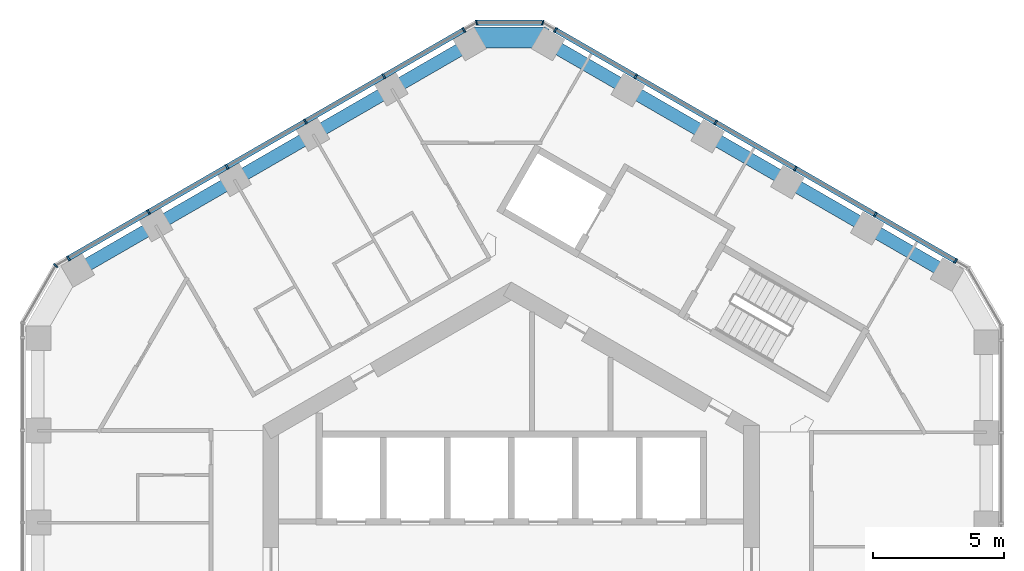
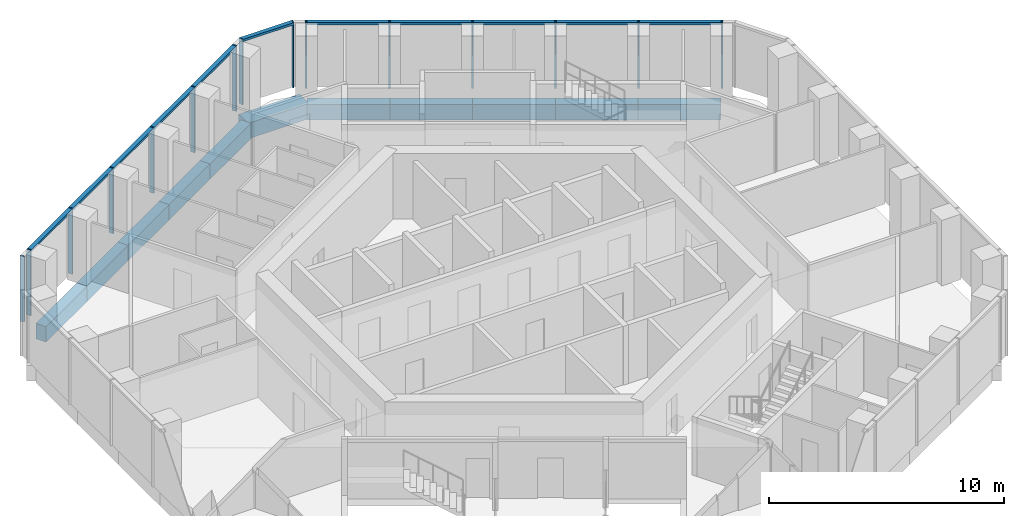
# One storey, part 6 of 19: 18 members, 11 beams, 4 elements without a shape of their own.
"""IFC4 building model written with IfcOpenShell, lengths in metres."""

import ifcopenshell
import ifcopenshell.guid

model = None  # the IFC model being written
_history = None  # IfcOwnerHistory: only IFC2X3 demands one
_inside = {}  # id of a spatial element -> (the spatial element, [elements in it])
_under = {}  # id of a project, library or spatial element -> (it, [spatial elements below it])
_declared = {}  # id of a project -> (the project, [libraries it declares])
_typed = {}  # id of a type object -> (the type object, [elements of that type])
_made_of = {}  # id of a material, layer set ... -> (it, [elements and type objects made of it])


def new_model(schema):
    """Start an empty IFC model of exactly this schema.

    Asked for "IFC4X3", IfcOpenShell would pick the latest addendum, in which some entities
    have other attributes; the version numbers below select the first issue.
    IFC2X3 requires an IfcOwnerHistory on every rooted entity: one is made here for all.
    """
    global model, _history
    if schema == "IFC4X3":
        model = ifcopenshell.file(schema_version=(4, 3, 0, 0))
    else:
        model = ifcopenshell.file(schema=schema)
    _inside.clear()
    _under.clear()
    _declared.clear()
    _typed.clear()
    _made_of.clear()
    _history = None
    if model.schema == "IFC2X3":
        org = make("IfcOrganization", Name="unknown")
        user = make(
            "IfcPersonAndOrganization",
            ThePerson=make("IfcPerson", FamilyName="unknown"),
            TheOrganization=org,
        )
        app = make(
            "IfcApplication",
            ApplicationDeveloper=org,
            Version="unknown",
            ApplicationFullName="unknown",
            ApplicationIdentifier="unknown",
        )
        _history = make(
            "IfcOwnerHistory",
            OwningUser=user,
            OwningApplication=app,
            ChangeAction="ADDED",
            CreationDate=0,
        )
    return model


def make(cls, **values):
    """One entity of the class cls with the attributes given. An attribute that is None is left unset."""
    return model.create_entity(
        cls, **{name: value for name, value in values.items() if value is not None}
    )


def rooted(cls, **values):
    """An entity with a GlobalId (a new one), such as an element, a storey or a relation."""
    return make(cls, GlobalId=ifcopenshell.guid.new(), OwnerHistory=_history, **values)


def si_unit(unit_type, name, prefix=None):
    """IfcSIUnit, for example si_unit("LENGTHUNIT", "METRE", prefix="MILLI")."""
    return make("IfcSIUnit", UnitType=unit_type, Prefix=prefix, Name=name)


def assignment(units):
    """IfcUnitAssignment: the units of a project."""
    return None if units is None else make("IfcUnitAssignment", Units=units)


def point(xyz):
    """IfcCartesianPoint."""
    return None if xyz is None else make("IfcCartesianPoint", Coordinates=xyz)


def direction(xyz):
    """IfcDirection."""
    return None if xyz is None else make("IfcDirection", DirectionRatios=xyz)


def frame(location, z_axis=None, x_axis=None):
    """IfcAxis2Placement3D, a coordinate frame: its origin and axes. An axis left out is left unset."""
    return make(
        "IfcAxis2Placement3D",
        Location=point(location),
        Axis=direction(z_axis),
        RefDirection=direction(x_axis),
    )


def frame_2d(location, x_axis=None):
    """IfcAxis2Placement2D, a coordinate frame in the plane: its origin and x axis."""
    return make(
        "IfcAxis2Placement2D", Location=point(location), RefDirection=direction(x_axis)
    )


def origin():
    """The frame at (0, 0, 0) with its axes left unset."""
    return frame((0.0, 0.0, 0.0))


def origin_2d():
    """The frame at (0, 0) in the plane with its x axis left unset."""
    return frame_2d((0.0, 0.0))


def place(relative_to, where):
    """IfcLocalPlacement: puts the frame where relative to a parent placement (None: the world)."""
    return make(
        "IfcLocalPlacement", PlacementRelTo=relative_to, RelativePlacement=where
    )


def context(
    kind, dimensions, precision=None, world=None, true_north=None, identifier=None
):
    """IfcGeometricRepresentationContext, for example the 3D "Model" context."""
    return make(
        "IfcGeometricRepresentationContext",
        ContextIdentifier=identifier,
        ContextType=kind,
        CoordinateSpaceDimension=dimensions,
        Precision=precision,
        WorldCoordinateSystem=world,
        TrueNorth=true_north,
    )


def subcontext(parent, identifier, kind, view, scale=None):
    """IfcGeometricRepresentationSubContext, for example "Body" below "Model"."""
    return make(
        "IfcGeometricRepresentationSubContext",
        ContextIdentifier=identifier,
        ContextType=kind,
        ParentContext=parent,
        TargetScale=scale,
        TargetView=view,
    )


def project(units=None, contexts=None):
    """IfcProject with its units and contexts."""
    return rooted(
        "IfcProject",
        Name="project",
        RepresentationContexts=contexts,
        UnitsInContext=assignment(units),
    )


def spatial(cls, under=None, at=None, **own):
    """A site, building, storey or space (cls), placed at a placement, below another one or the project."""
    s = rooted(cls, ObjectPlacement=at, **own)
    if under is not None:
        _under.setdefault(under.id(), (under, []))[1].append(s)
    return s


def profile(cls, at=None, kind="AREA", **sizes):
    """A parametric profile (cls). Its sizes go by their IFC names, for example OverallWidth=200.0."""
    return make(cls, ProfileType=kind, Position=at, **sizes)


def rectangle(**sizes):
    """IfcRectangleProfileDef."""
    return profile("IfcRectangleProfileDef", **sizes)


def extrude(swept, where, along, depth):
    """IfcExtrudedAreaSolid: the profile swept, set in the frame where, extruded along a direction by depth."""
    return make(
        "IfcExtrudedAreaSolid",
        SweptArea=swept,
        Position=where,
        ExtrudedDirection=direction(along),
        Depth=depth,
    )


def shape(context_of_items, identifier, shape_type, items):
    """IfcShapeRepresentation: the items that make up one representation, for example the "Body"."""
    return make(
        "IfcShapeRepresentation",
        ContextOfItems=context_of_items,
        RepresentationIdentifier=identifier,
        RepresentationType=shape_type,
        Items=items,
    )


def material(Name=None, Category=None):
    """IfcMaterial."""
    return make("IfcMaterial", Name=Name, Category=Category)


def layer(
    of_material, thickness, ventilated=None, Name=None, Category=None, Priority=None
):
    """IfcMaterialLayer: one layer of a wall or slab, of a material (None: an air gap)."""
    return make(
        "IfcMaterialLayer",
        Material=of_material,
        LayerThickness=thickness,
        IsVentilated=ventilated,
        Name=Name,
        Category=Category,
        Priority=Priority,
    )


def layer_set(layers, Name=None):
    """IfcMaterialLayerSet."""
    return make("IfcMaterialLayerSet", MaterialLayers=layers, LayerSetName=Name)


def material_profile(
    of_material, cross_section, Name=None, Category=None, Priority=None
):
    """IfcMaterialProfile: a cross section and its material."""
    return make(
        "IfcMaterialProfile",
        Name=Name,
        Material=of_material,
        Profile=cross_section,
        Priority=Priority,
        Category=Category,
    )


def profile_set(profiles, Name=None, composite=None):
    """IfcMaterialProfileSet."""
    return make(
        "IfcMaterialProfileSet",
        Name=Name,
        MaterialProfiles=profiles,
        CompositeProfile=composite,
    )


def made_of(thing, what):
    """Note that an element or type object is made of a material, layer set ...; save() writes the relation."""
    if what is not None:
        _made_of.setdefault(what.id(), (what, []))[1].append(thing)
    return thing


def type_object(cls, material=None, **own):
    """A type object (cls), such as IfcWallType, which elements share."""
    return made_of(rooted(cls, **own), material)


def element(
    cls,
    number,
    at=None,
    inside=None,
    cuts=None,
    type_object=None,
    material=None,
    context=None,
    identifier="Body",
    shape_type=None,
    held_by="IfcProductDefinitionShape",
    body=None,
    shapes=None,
    **own,
):
    """One element of the class cls, such as IfcWall. Its Tag is "e" and its number.

    at: its placement. inside: the storey or other place that contains it. cuts: it is an
    opening in that element (IfcRelVoidsElement). A single representation is given by context,
    identifier, shape_type and body (its items); several are given by shapes. held_by: the class
    of the entity that holds the representations. save() writes the other relations.
    """
    e = rooted(cls, Tag="e%d" % number, ObjectPlacement=at, **own)
    if body is not None:
        shapes = [shape(context, identifier, shape_type, body)]
    if shapes is not None:
        e.Representation = make(held_by, Representations=shapes)
    if inside is not None:
        _inside.setdefault(inside.id(), (inside, []))[1].append(e)
    if cuts is not None:
        rooted(
            "IfcRelVoidsElement", RelatingBuildingElement=cuts, RelatedOpeningElement=e
        )
    if type_object is not None:
        _typed.setdefault(type_object.id(), (type_object, []))[1].append(e)
    return made_of(e, material)


def aggregate(whole, parts):
    """IfcRelAggregates: a whole, such as a stair, and the parts it consists of."""
    return rooted("IfcRelAggregates", RelatingObject=whole, RelatedObjects=parts)


def save(model, path):
    """Write the relations noted so far, then the file.

    IfcRelAggregates (storeys below a building ...), IfcRelContainedInSpatialStructure (elements
    in a storey), IfcRelDefinesByType, IfcRelAssociatesMaterial and IfcRelDeclares: one each for
    every whole, place, type object, material and project.
    """
    for whole, parts in _under.values():
        aggregate(whole, parts)
    for where, things in _inside.values():
        rooted(
            "IfcRelContainedInSpatialStructure",
            RelatedElements=things,
            RelatingStructure=where,
        )
    for kind, things in _typed.values():
        rooted("IfcRelDefinesByType", RelatedObjects=things, RelatingType=kind)
    for what, things in _made_of.values():
        rooted("IfcRelAssociatesMaterial", RelatedObjects=things, RelatingMaterial=what)
    for by, libraries in _declared.values():
        rooted("IfcRelDeclares", RelatingContext=by, RelatedDefinitions=libraries)
    model.write(path)


model = new_model("IFC4")

# Units and contexts
model_context = context("Model", 3, precision=1e-05, world=origin(), true_north=direction((0.0, 1.0)))
body_context = subcontext(model_context, "Body", "Model", "MODEL_VIEW")
ifc_project = project(units=[si_unit("LENGTHUNIT", "METRE"), si_unit("AREAUNIT", "SQUARE_METRE"), si_unit("VOLUMEUNIT", "CUBIC_METRE"), si_unit("PLANEANGLEUNIT", "RADIAN"), si_unit("MASSUNIT", "GRAM", prefix="KILO")], contexts=[model_context])

# Site, building, storey
site_placement = place(None, origin())
site = spatial("IfcSite", under=ifc_project, at=site_placement, CompositionType="ELEMENT")
building_placement = place(site_placement, origin())
building = spatial("IfcBuilding", under=site, at=building_placement, Name="Ayvan Gate Tower", CompositionType="ELEMENT")
storey_placement = place(building_placement, frame((0.0, 0.0, 156.10009765625)))
storey = spatial("IfcBuildingStorey", under=building, at=storey_placement, Name="L41", CompositionType="ELEMENT", Elevation=156.10009765625)

# Beams
ifc_material_1 = material(Name="Concrete C40/50", Category="concrete")
ifc_material_profile_1 = material_profile(ifc_material_1, rectangle(XDim=0.800048828125, YDim=0.800048828125, at=origin_2d()), Name="RC 800x800")
ifc_profile_set_1 = profile_set([ifc_material_profile_1], Name="Concrete C40/50")
beam_type_1 = type_object("IfcBeamType", Name="Corner spandrel beam RC 800x800 C40/50", PredefinedType="BEAM", material=ifc_profile_set_1)
beam_1_placement = place(storey_placement, frame((1.453857421875, 20.3271484375, -0.75), z_axis=(-1.0, 0.0, 0.0), x_axis=(0.0, -1.0, 0.0)))
element("IfcBeam", 1, at=beam_1_placement, inside=storey, type_object=beam_type_1, Name="SB-L41-12", PredefinedType="BEAM", context=body_context, shape_type="SweptSolid", body=[
    extrude(rectangle(XDim=0.800048828125, YDim=0.800048828125, at=origin_2d()), origin(), (0.0, 0.0, 1.0), 3.0),
])
ifc_material_profile_2 = material_profile(ifc_material_1, rectangle(XDim=0.5, YDim=0.800048828125, at=origin_2d()), Name="RC 500x800")
ifc_profile_set_2 = profile_set([ifc_material_profile_2], Name="Concrete C40/50")
beam_type_2 = type_object("IfcBeamType", Name="Spandrel beam RC 500x800 C40/50", PredefinedType="BEAM", material=ifc_profile_set_2)
beam_2_placement = place(storey_placement, frame((16.6865234375, 11.3125, -0.75), z_axis=(-0.866018011611, 0.500012803402, 0.0), x_axis=(-0.500012803402, -0.866018011611, 0.0)))
element("IfcBeam", 2, at=beam_2_placement, inside=storey, type_object=beam_type_2, Name="SB-L41-7", PredefinedType="BEAM", context=body_context, shape_type="SweptSolid", body=[
    extrude(rectangle(XDim=0.5, YDim=0.800048828125, at=origin_2d()), origin(), (0.0, 0.0, 1.0), 3.51806640625),
])
for number, where, z_axis, x_axis, name in (
    (3, (13.639892578125, 13.071533203125, -0.75), (-0.86600065965, 0.500042855648, 0.0), (-0.500042855648, -0.86600065965, 0.0), "SB-L41-8"),
    (4, (10.593505859375, 14.83056640625, -0.75), (-0.866048061831, 0.499960753059, 0.0), (-0.499960753059, -0.866048061831, 0.0), "SB-L41-9"),
):
    element("IfcBeam", number, at=place(storey_placement, frame(where, z_axis=z_axis, x_axis=x_axis)), inside=storey, type_object=beam_type_2, Name=name, PredefinedType="BEAM", context=body_context, shape_type="SweptSolid", body=[
        extrude(rectangle(XDim=0.5, YDim=0.800048828125, at=origin_2d()), origin(), (0.0, 0.0, 1.0), 3.517822265625),
    ])
beam_3_placement = place(storey_placement, frame((7.546875, 16.58935546875, -0.75), z_axis=(-0.866018011611, 0.500012803402, 0.0), x_axis=(-0.500012803402, -0.866018011611, 0.0)))
element("IfcBeam", 5, at=beam_3_placement, inside=storey, type_object=beam_type_2, Name="SB-L41-10", PredefinedType="BEAM", context=body_context, shape_type="SweptSolid", body=[
    extrude(rectangle(XDim=0.5, YDim=0.800048828125, at=origin_2d()), origin(), (0.0, 0.0, 1.0), 3.51806640625),
])
beam_4_placement = place(storey_placement, frame((4.500244140625, 18.348388671875, -0.75), z_axis=(-0.866030712881, 0.499990804263, 0.0), x_axis=(-0.499990804263, -0.866030712881, 0.0)))
element("IfcBeam", 6, at=beam_4_placement, inside=storey, type_object=beam_type_2, Name="SB-L41-11", PredefinedType="BEAM", context=body_context, shape_type="SweptSolid", body=[
    extrude(rectangle(XDim=0.5, YDim=0.800048828125, at=origin_2d()), origin(), (0.0, 0.0, 1.0), 3.517578125),
])
beam_5_placement = place(storey_placement, frame((-1.546142578125, 20.107177734375, -0.75), z_axis=(-0.866023465201, -0.500003357709, 0.0), x_axis=(0.500003357709, -0.866023465201, 0.0)))
element("IfcBeam", 7, at=beam_5_placement, inside=storey, type_object=beam_type_2, Name="SB-L41-13", PredefinedType="BEAM", context=body_context, shape_type="SweptSolid", body=[
    extrude(rectangle(XDim=0.5, YDim=0.800048828125, at=origin_2d()), origin(), (0.0, 0.0, 1.0), 3.48583984375),
])
beam_6_placement = place(storey_placement, frame((-4.56494140625, 18.3642578125, -0.75), z_axis=(-0.866040973416, -0.499973031637, 0.0), x_axis=(0.499973031637, -0.866040973416, 0.0)))
element("IfcBeam", 8, at=beam_6_placement, inside=storey, type_object=beam_type_2, Name="SB-L41-14", PredefinedType="BEAM", context=body_context, shape_type="SweptSolid", body=[
    extrude(rectangle(XDim=0.5, YDim=0.800048828125, at=origin_2d()), origin(), (0.0, 0.0, 1.0), 3.486083984375),
])
beam_7_placement = place(storey_placement, frame((-7.583984375, 16.621337890625, -0.75), z_axis=(-0.866053792276, -0.499950826467, 0.0), x_axis=(0.499950826467, -0.866053792276, 0.0)))
element("IfcBeam", 9, at=beam_7_placement, inside=storey, type_object=beam_type_2, Name="SB-L41-15", PredefinedType="BEAM", context=body_context, shape_type="SweptSolid", body=[
    extrude(rectangle(XDim=0.5, YDim=0.800048828125, at=origin_2d()), origin(), (0.0, 0.0, 1.0), 3.485595703125),
])
for number, where, z_axis, x_axis, name in (
    (10, (-10.602783203125, 14.878662109375, -0.75), (-0.866023465201, -0.500003357709, 0.0), (0.500003357709, -0.866023465201, 0.0), "SB-L41-16"),
    (11, (-13.62158203125, 13.1357421875, -0.75), (-0.866023465201, -0.500003357709, 0.0), (0.500003357709, -0.866023465201, 0.0), "SB-L41-17"),
):
    element("IfcBeam", number, at=place(storey_placement, frame(where, z_axis=z_axis, x_axis=x_axis)), inside=storey, type_object=beam_type_2, Name=name, PredefinedType="BEAM", context=body_context, shape_type="SweptSolid", body=[
        extrude(rectangle(XDim=0.5, YDim=0.800048828125, at=origin_2d()), origin(), (0.0, 0.0, 1.0), 3.48583984375),
    ])

# Curtain wall, members
ifc_material_2 = material(Name="Bronze anodised aluminium", Category="aluminium")
ifc_layer_1 = layer(ifc_material_2, 0.199951171875)
ifc_layer_set_1 = layer_set([ifc_layer_1], Name="Bronze anodised aluminium")
curtain_wall_type_1 = type_object("IfcCurtainWallType", Name="Stick curtain wall CW-2", PredefinedType="NOTDEFINED", material=ifc_layer_set_1)
curtain_wall_1_placement = place(storey_placement, origin())
curtain_wall_1 = element("IfcCurtainWall", 12, at=curtain_wall_1_placement, inside=storey, type_object=curtain_wall_type_1, Name="Stick curtain wall CW-2 L41", PredefinedType="NOTDEFINED")
ifc_material_profile_3 = material_profile(ifc_material_2, rectangle(XDim=0.199951171875, YDim=0.070068359375, at=origin_2d()), Name="Stick curtain wall CW-2 mullion 200 x 70")
ifc_profile_set_3 = profile_set([ifc_material_profile_3], Name="Bronze anodised aluminium")
member_type_1 = type_object("IfcMemberType", Name="Stick curtain wall CW-2 mullion 200 x 70", PredefinedType="MULLION", material=ifc_profile_set_3)
member_1_placement = place(storey_placement, frame((-1.8115234375, 20.617919921875, 0.0), z_axis=(0.0, 0.0, 1.0), x_axis=(-0.5, 0.866025403784, 0.0)))
member_1 = element("IfcMember", 13, at=member_1_placement, type_object=member_type_1, Name="CW-2 mullion 1", PredefinedType="MULLION", context=body_context, shape_type="SweptSolid", body=[
    extrude(rectangle(XDim=0.199951171875, YDim=0.070068359375, at=origin_2d()), origin(), (0.0, 0.0, 1.0), 3.39990234375),
])
member_2_placement = place(storey_placement, frame((-4.878173828125, 18.847412109375, 0.0), z_axis=(0.0, 0.0, 1.0), x_axis=(-0.5, 0.866025403784, 0.0)))
member_2 = element("IfcMember", 14, at=member_2_placement, type_object=member_type_1, Name="CW-2 mullion 2", PredefinedType="MULLION", context=body_context, shape_type="SweptSolid", body=[
    extrude(rectangle(XDim=0.199951171875, YDim=0.070068359375, at=origin_2d()), origin(), (0.0, 0.0, 1.0), 3.39990234375),
])
member_3_placement = place(storey_placement, frame((-7.8798828125, 17.114501953125, 0.0), z_axis=(0.0, 0.0, 1.0), x_axis=(-0.5, 0.866025403784, 0.0)))
member_3 = element("IfcMember", 15, at=member_3_placement, type_object=member_type_1, Name="CW-2 mullion 3", PredefinedType="MULLION", context=body_context, shape_type="SweptSolid", body=[
    extrude(rectangle(XDim=0.199951171875, YDim=0.070068359375, at=origin_2d()), origin(), (0.0, 0.0, 1.0), 3.39990234375),
])
member_4_placement = place(storey_placement, frame((-10.881591796875, 15.381591796875, 0.0), z_axis=(0.0, 0.0, 1.0), x_axis=(-0.5, 0.866025403784, 0.0)))
member_4 = element("IfcMember", 16, at=member_4_placement, type_object=member_type_1, Name="CW-2 mullion 4", PredefinedType="MULLION", context=body_context, shape_type="SweptSolid", body=[
    extrude(rectangle(XDim=0.199951171875, YDim=0.070068359375, at=origin_2d()), origin(), (0.0, 0.0, 1.0), 3.39990234375),
])
member_5_placement = place(storey_placement, frame((-13.883056640625, 13.6484375, 0.0), z_axis=(0.0, 0.0, 1.0), x_axis=(-0.5, 0.866025403784, 0.0)))
member_5 = element("IfcMember", 17, at=member_5_placement, type_object=member_type_1, Name="CW-2 mullion 5", PredefinedType="MULLION", context=body_context, shape_type="SweptSolid", body=[
    extrude(rectangle(XDim=0.199951171875, YDim=0.070068359375, at=origin_2d()), origin(), (0.0, 0.0, 1.0), 3.39990234375),
])
member_6_placement = place(storey_placement, frame((-16.949951171875, 11.8779296875, 0.0), z_axis=(0.0, 0.0, 1.0), x_axis=(-0.5, 0.866025403784, 0.0)))
member_6 = element("IfcMember", 18, at=member_6_placement, type_object=member_type_1, Name="CW-2 mullion 6", PredefinedType="MULLION", context=body_context, shape_type="SweptSolid", body=[
    extrude(rectangle(XDim=0.199951171875, YDim=0.070068359375, at=origin_2d()), origin(), (0.0, 0.0, 1.0), 3.39990234375),
])

curtain_wall_2_placement = place(storey_placement, origin())
curtain_wall_2 = element("IfcCurtainWall", 19, at=curtain_wall_2_placement, inside=storey, type_object=curtain_wall_type_1, Name="Stick curtain wall CW-2 L41", PredefinedType="NOTDEFINED")
member_7_placement = place(storey_placement, frame((17.00927734375, 11.775146484375, 0.0), z_axis=(0.0, 0.0, 1.0), x_axis=(0.5, 0.866025403784, 0.0)))
member_7 = element("IfcMember", 20, at=member_7_placement, type_object=member_type_1, Name="CW-2 mullion 1", PredefinedType="MULLION", context=body_context, shape_type="SweptSolid", body=[
    extrude(rectangle(XDim=0.199951171875, YDim=0.070068359375, at=origin_2d()), origin(), (0.0, 0.0, 1.0), 3.39990234375),
])
member_8_placement = place(storey_placement, frame((13.93408203125, 13.550537109375, 0.0), z_axis=(0.0, 0.0, 1.0), x_axis=(0.5, 0.866025403784, 0.0)))
member_8 = element("IfcMember", 21, at=member_8_placement, type_object=member_type_1, Name="CW-2 mullion 2", PredefinedType="MULLION", context=body_context, shape_type="SweptSolid", body=[
    extrude(rectangle(XDim=0.199951171875, YDim=0.070068359375, at=origin_2d()), origin(), (0.0, 0.0, 1.0), 3.39990234375),
])
member_9_placement = place(storey_placement, frame((10.878662109375, 15.314697265625, 0.0), z_axis=(0.0, 0.0, 1.0), x_axis=(0.5, 0.866025403784, 0.0)))
member_9 = element("IfcMember", 22, at=member_9_placement, type_object=member_type_1, Name="CW-2 mullion 3", PredefinedType="MULLION", context=body_context, shape_type="SweptSolid", body=[
    extrude(rectangle(XDim=0.199951171875, YDim=0.070068359375, at=origin_2d()), origin(), (0.0, 0.0, 1.0), 3.39990234375),
])
member_10_placement = place(storey_placement, frame((7.8232421875, 17.07861328125, 0.0), z_axis=(0.0, 0.0, 1.0), x_axis=(0.5, 0.866025403784, 0.0)))
member_10 = element("IfcMember", 23, at=member_10_placement, type_object=member_type_1, Name="CW-2 mullion 4", PredefinedType="MULLION", context=body_context, shape_type="SweptSolid", body=[
    extrude(rectangle(XDim=0.199951171875, YDim=0.070068359375, at=origin_2d()), origin(), (0.0, 0.0, 1.0), 3.39990234375),
])
member_11_placement = place(storey_placement, frame((4.76806640625, 18.842529296875, 0.0), z_axis=(0.0, 0.0, 1.0), x_axis=(0.5, 0.866025403784, 0.0)))
member_11 = element("IfcMember", 24, at=member_11_placement, type_object=member_type_1, Name="CW-2 mullion 5", PredefinedType="MULLION", context=body_context, shape_type="SweptSolid", body=[
    extrude(rectangle(XDim=0.199951171875, YDim=0.070068359375, at=origin_2d()), origin(), (0.0, 0.0, 1.0), 3.39990234375),
])
member_12_placement = place(storey_placement, frame((1.69287109375, 20.617919921875, 0.0), z_axis=(0.0, 0.0, 1.0), x_axis=(0.5, 0.866025403784, 0.0)))
member_12 = element("IfcMember", 25, at=member_12_placement, type_object=member_type_1, Name="CW-2 mullion 6", PredefinedType="MULLION", context=body_context, shape_type="SweptSolid", body=[
    extrude(rectangle(XDim=0.199951171875, YDim=0.070068359375, at=origin_2d()), origin(), (0.0, 0.0, 1.0), 3.39990234375),
])

# Member
ifc_material_profile_4 = material_profile(ifc_material_2, rectangle(XDim=0.199951171875, YDim=0.1201171875, at=origin_2d()), Name="Stick curtain wall CW-2 transom 200 x 120")
ifc_profile_set_4 = profile_set([ifc_material_profile_4], Name="Bronze anodised aluminium")
member_type_2 = type_object("IfcMemberType", Name="Stick curtain wall CW-2 transom 200 x 120", PredefinedType="USERDEFINED", material=ifc_profile_set_4)
member_13_placement = place(storey_placement, frame((-1.8115234375, 20.617919921875, 3.33984375), z_axis=(-0.866029988789, -0.499992058455, 0.0), x_axis=(0.499992058455, -0.866029988789, 0.0)))
member_13 = element("IfcMember", 26, at=member_13_placement, type_object=member_type_2, Name="CW-2 transom 1", ObjectType="TRANSOM", PredefinedType="USERDEFINED", context=body_context, shape_type="SweptSolid", body=[
    extrude(rectangle(XDim=0.199951171875, YDim=0.1201171875, at=origin_2d()), origin(), (0.0, 0.0, 1.0), 17.480224609375),
])

aggregate(curtain_wall_1, [member_1, member_2, member_3, member_4, member_5, member_6, member_13])

member_14_placement = place(storey_placement, frame((17.00927734375, 11.775146484375, 3.33984375), z_axis=(-0.866029268111, 0.49999330673, 0.0), x_axis=(-0.49999330673, -0.866029268111, 0.0)))
member_14 = element("IfcMember", 27, at=member_14_placement, type_object=member_type_2, Name="CW-2 transom 1", ObjectType="TRANSOM", PredefinedType="USERDEFINED", context=body_context, shape_type="SweptSolid", body=[
    extrude(rectangle(XDim=0.199951171875, YDim=0.1201171875, at=origin_2d()), origin(), (0.0, 0.0, 1.0), 17.685791015625),
])

aggregate(curtain_wall_2, [member_7, member_8, member_9, member_10, member_11, member_12, member_14])

# Curtain wall, member
ifc_layer_2 = layer(ifc_material_2, 0.199951171875)
ifc_layer_set_2 = layer_set([ifc_layer_2], Name="Bronze anodised aluminium")
curtain_wall_type_2 = type_object("IfcCurtainWallType", Name="Stick curtain wall CW-6", PredefinedType="NOTDEFINED", material=ifc_layer_set_2)
curtain_wall_3_placement = place(storey_placement, origin())
curtain_wall_3 = element("IfcCurtainWall", 28, at=curtain_wall_3_placement, inside=storey, type_object=curtain_wall_type_2, Name="Stick curtain wall CW-6 L41", PredefinedType="NOTDEFINED")
ifc_material_profile_5 = material_profile(ifc_material_2, rectangle(XDim=0.199951171875, YDim=0.050048828125, at=origin_2d()), Name="Stick curtain wall CW-6 mullion 200 x 50")
ifc_profile_set_5 = profile_set([ifc_material_profile_5], Name="Bronze anodised aluminium")
member_type_3 = type_object("IfcMemberType", Name="Stick curtain wall CW-6 mullion 200 x 50", PredefinedType="MULLION", material=ifc_profile_set_5)
member_15_placement = place(storey_placement, frame((-17.434814453125, 11.597900390625, 0.0), z_axis=(0.0, 0.0, 1.0), x_axis=(-0.707106781187, 0.707106781187, 0.0)))
member_15 = element("IfcMember", 29, at=member_15_placement, type_object=member_type_3, Name="CW-6 mullion 2", PredefinedType="MULLION", context=body_context, shape_type="SweptSolid", body=[
    extrude(rectangle(XDim=0.199951171875, YDim=0.050048828125, at=origin_2d()), origin(), (0.0, 0.0, 1.0), 3.39990234375),
])
aggregate(curtain_wall_3, [member_15])

# Curtain wall, members
curtain_wall_4_placement = place(storey_placement, origin())
curtain_wall_4 = element("IfcCurtainWall", 30, at=curtain_wall_4_placement, inside=storey, type_object=curtain_wall_type_2, Name="Stick curtain wall CW-6 L41", PredefinedType="NOTDEFINED")
member_16_placement = place(storey_placement, frame((1.2080078125, 20.89794921875, 0.0), z_axis=(0.0, 0.0, 1.0), x_axis=(0.258819045103, 0.965925826289, 0.0)))
member_16 = element("IfcMember", 31, at=member_16_placement, type_object=member_type_3, Name="CW-6 mullion 2", PredefinedType="MULLION", context=body_context, shape_type="SweptSolid", body=[
    extrude(rectangle(XDim=0.199951171875, YDim=0.050048828125, at=origin_2d()), origin(), (0.0, 0.0, 1.0), 3.39990234375),
])
member_17_placement = place(storey_placement, frame((-1.32666015625, 20.89794921875, 0.0), z_axis=(0.0, 0.0, 1.0), x_axis=(-0.258819045103, 0.965925826289, 0.0)))
member_17 = element("IfcMember", 32, at=member_17_placement, type_object=member_type_3, Name="CW-6 mullion 3", PredefinedType="MULLION", context=body_context, shape_type="SweptSolid", body=[
    extrude(rectangle(XDim=0.199951171875, YDim=0.050048828125, at=origin_2d()), origin(), (0.0, 0.0, 1.0), 3.39990234375),
])
ifc_material_profile_6 = material_profile(ifc_material_2, rectangle(XDim=0.199951171875, YDim=0.1201171875, at=origin_2d()), Name="Stick curtain wall CW-6 transom 200 x 120")
ifc_profile_set_6 = profile_set([ifc_material_profile_6], Name="Bronze anodised aluminium")
member_type_4 = type_object("IfcMemberType", Name="Stick curtain wall CW-6 transom 200 x 120", PredefinedType="USERDEFINED", material=ifc_profile_set_6)
member_18_placement = place(storey_placement, frame((1.182861328125, 20.89794921875, 3.33984375), z_axis=(-1.0, 0.0, 0.0), x_axis=(0.0, -1.0, 0.0)))
member_18 = element("IfcMember", 33, at=member_18_placement, type_object=member_type_4, Name="CW-6 transom 2", ObjectType="TRANSOM", PredefinedType="USERDEFINED", context=body_context, shape_type="SweptSolid", body=[
    extrude(rectangle(XDim=0.199951171875, YDim=0.1201171875, at=origin_2d()), origin(), (0.0, 0.0, 1.0), 2.484375),
])
aggregate(curtain_wall_4, [member_16, member_17, member_18])

save(model, "model.ifc")
